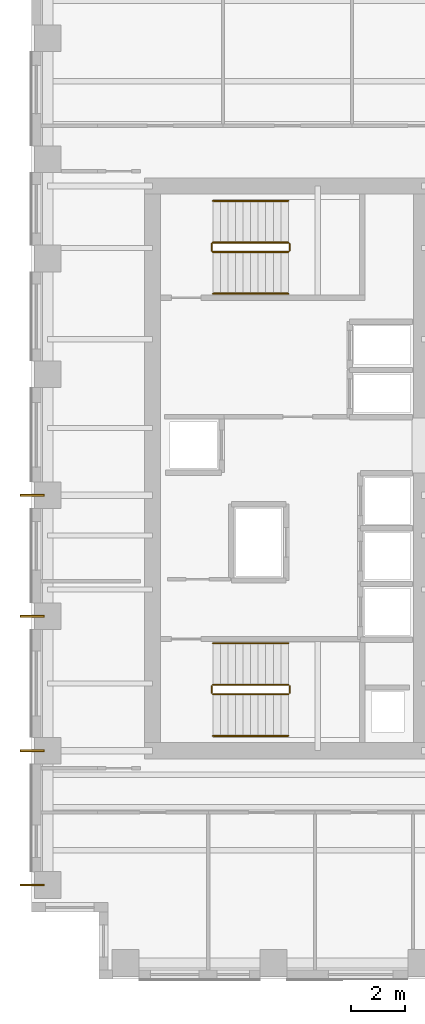
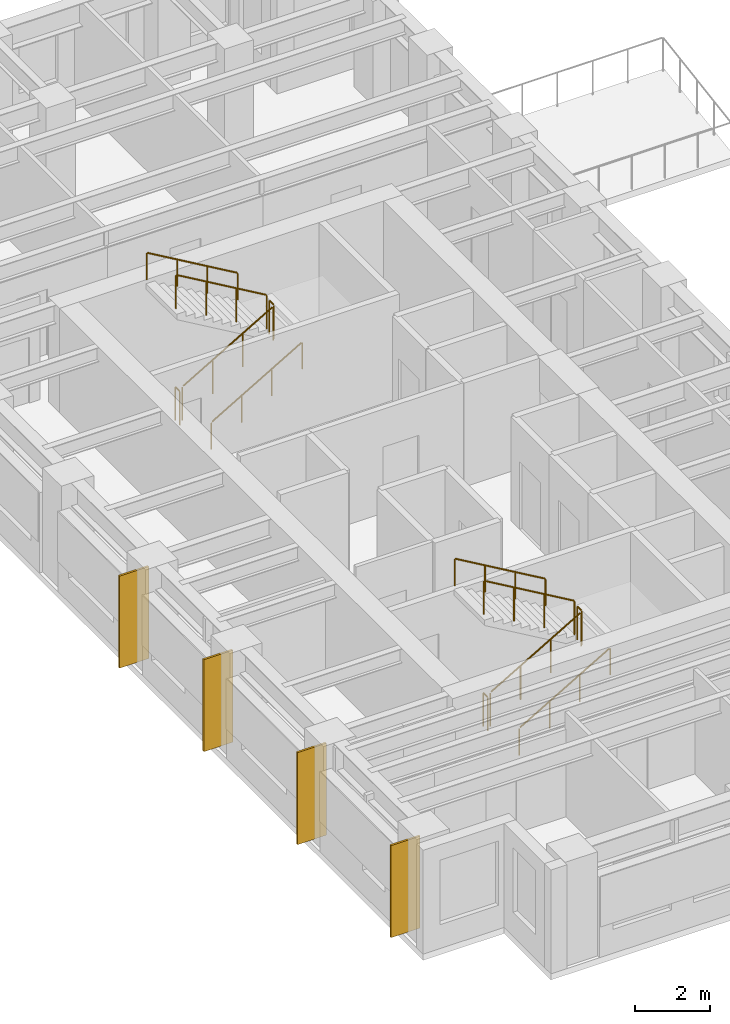
# One storey, part 10 of 11: 12 railings, 4 coverings.
"""IFC4 building model written with IfcOpenShell, lengths in metres."""

from ifc_helpers import new_model, si_unit, direction, frame, origin, origin_2d, place, context, subcontext, project, spatial, rectangle, circle, extrude, source, transform, mapped, material, layer, layer_set, type_object, element, save


model = new_model("IFC4")

# Units and contexts
model_context = context("Model", 3, precision=1e-05, world=origin(), true_north=direction((0.0, 1.0)))
body_context = subcontext(model_context, "Body", "Model", "MODEL_VIEW")
ifc_project = project(units=[si_unit("LENGTHUNIT", "METRE"), si_unit("AREAUNIT", "SQUARE_METRE"), si_unit("VOLUMEUNIT", "CUBIC_METRE"), si_unit("PLANEANGLEUNIT", "RADIAN"), si_unit("MASSUNIT", "GRAM", prefix="KILO")], contexts=[model_context])

# Site, building, storey
site_placement = place(None, origin())
site = spatial("IfcSite", under=ifc_project, at=site_placement, CompositionType="ELEMENT")
building_placement = place(site_placement, origin())
building = spatial("IfcBuilding", under=site, at=building_placement, Name="Kharzan Plaza Tower", CompositionType="ELEMENT")
storey_placement = place(building_placement, frame((0.0, 0.0, 200.699951171875)))
storey = spatial("IfcBuildingStorey", under=building, at=storey_placement, Name="L54", CompositionType="ELEMENT", Elevation=200.699951171875)

# Railings
ifc_material_1 = material(Name="Painted Galvanized Architectural Steel", Category="steel")
ifc_layer_1 = layer(ifc_material_1, 0.074951171875)
ifc_layer_set_1 = layer_set([ifc_layer_1], Name="Painted Galvanized Architectural Steel")
railing_type_1 = type_object("IfcRailingType", Name="RL-GUARD-1120", PredefinedType="BALUSTRADE", material=ifc_layer_set_1)
shared_shape_1 = source(origin(), body_context, "Body", "SweptSolid", [
    extrude(circle(Radius=0.02392578125, at=origin_2d()), frame((0.0, 0.0263671875, 1.09619140625), z_axis=(0.0, 1.0, 0.0), x_axis=(-1.0, 0.0, 0.0)), (0.0, 0.0, 1.0), 0.197021484375),
    extrude(circle(Radius=0.02099609375, at=origin_2d()), origin(), (0.0, 0.0, 1.0), 1.072021484375),
    extrude(circle(Radius=0.02099609375, at=origin_2d()), frame((0.0, 0.25, 0.0)), (0.0, 0.0, 1.0), 1.072021484375),
])
for number, where, name in (
    (1, (9.60009765625, 10.64990234375, 1.800048828125), "L54 ST-1 stair guard 2"),
    (2, (6.699951171875, 10.64990234375, 0.0), "L54 ST-1 stair guard 4"),
    (3, (9.60009765625, 27.10009765625, 1.800048828125), "L54 ST-2 stair guard 2"),
    (4, (6.699951171875, 27.10009765625, 0.0), "L54 ST-2 stair guard 4"),
):
    element("IfcRailing", number, at=place(storey_placement, frame(where)), inside=storey, type_object=railing_type_1, Name=name, PredefinedType="BALUSTRADE", context=body_context, shape_type="MappedRepresentation", body=[
        mapped(shared_shape_1, transform((0.0, 0.0, 0.0), x_axis=(1.0, 0.0, 0.0), y_axis=(0.0, 1.0, 0.0), z_axis=(0.0, 0.0, 1.0))),
    ])

# Coverings
ifc_material_2 = material(Name="Honed Riyadh Limestone", Category="masonry")
ifc_layer_2 = layer(ifc_material_2, 0.06005859375)
ifc_layer_set_2 = layer_set([ifc_layer_2], Name="Honed Riyadh Limestone")
covering_type = type_object("IfcCoveringType", Name="COV-CLAD-STONE", PredefinedType="CLADDING", material=ifc_layer_set_2)
shared_shape_2 = source(origin(), body_context, "Body", "SweptSolid", [
    extrude(rectangle(XDim=0.06005859375, YDim=0.89990234375, at=origin_2d()), origin(), (0.0, 0.0, 1.0), 3.0),
])
for number, where, z_axis, x_axis, name in (
    (5, (0.02001953125, 13.5, 0.10009765625), (0.0, 0.0, 1.0), (0.0, 1.0, 0.0), "L54 Limestone Pier Rainscreen Cladding TCW-135"),
    (6, (0.02001953125, 18.0, 0.10009765625), (0.0, 0.0, 1.0), (0.0, 1.0, 0.0), "L54 Limestone Pier Rainscreen Cladding TCW-180"),
    (7, (0.02001953125, 3.5, 0.10009765625), (0.0, 0.0, 1.0), (0.0, 1.0, 0.0), "L54 Limestone Pier Rainscreen Cladding TCW-35"),
    (8, (0.02001953125, 8.5, 0.10009765625), (0.0, 0.0, 1.0), (0.0, 1.0, 0.0), "L54 Limestone Pier Rainscreen Cladding TCW-85"),
):
    element("IfcCovering", number, at=place(storey_placement, frame(where, z_axis=z_axis, x_axis=x_axis)), inside=storey, type_object=covering_type, Name=name, PredefinedType="CLADDING", context=body_context, shape_type="MappedRepresentation", body=[
        mapped(shared_shape_2, transform((0.0, 0.0, 0.0), x_axis=(1.0, 0.0, 0.0), y_axis=(0.0, 1.0, 0.0), z_axis=(0.0, 0.0, 1.0))),
    ])

# Railings
shared_shape_3 = source(origin(), body_context, "Body", "SweptSolid", [
    extrude(circle(Radius=0.02392578125, at=origin_2d()), frame((0.02294921875, 0.0, 1.109375), z_axis=(0.863360870873, 0.0, 0.504586966384), x_axis=(0.0, 1.0, 0.0)), (0.0, 0.0, 1.0), 3.190185546875),
    extrude(circle(Radius=0.02099609375, at=origin_2d()), origin(), (0.0, 0.0, 1.0), 1.072021484375),
    extrude(circle(Radius=0.02099609375, at=origin_2d()), frame((0.933349609375, 0.0, 0.54541015625)), (0.0, 0.0, 1.0), 1.072021484375),
    extrude(circle(Radius=0.02099609375, at=origin_2d()), frame((1.86669921875, 0.0, 1.091064453125)), (0.0, 0.0, 1.0), 1.072021484375),
    extrude(circle(Radius=0.02099609375, at=origin_2d()), frame((2.800048828125, 0.0, 1.636474609375)), (0.0, 0.0, 1.0), 1.072021484375),
])
for number, where, name in (
    (9, (6.75, 10.60009765625, 0.16357421875), "L54 ST-1 stair guard 1"),
    (10, (6.75, 27.050048828125, 0.16357421875), "L54 ST-2 stair guard 1"),
):
    element("IfcRailing", number, at=place(storey_placement, frame(where)), inside=storey, type_object=railing_type_1, Name=name, PredefinedType="BALUSTRADE", context=body_context, shape_type="MappedRepresentation", body=[
        mapped(shared_shape_3, transform((0.0, 0.0, 0.0), x_axis=(1.0, 0.0, 0.0), y_axis=(0.0, 1.0, 0.0), z_axis=(0.0, 0.0, 1.0))),
    ])
shared_shape_4 = source(origin(), body_context, "Body", "SweptSolid", [
    extrude(circle(Radius=0.02392578125, at=origin_2d()), frame((-0.02294921875, 0.0, 1.109375), z_axis=(-0.863360870873, 0.0, 0.504586966384), x_axis=(0.0, -1.0, 0.0)), (0.0, 0.0, 1.0), 3.190185546875),
    extrude(circle(Radius=0.02099609375, at=origin_2d()), origin(), (0.0, 0.0, 1.0), 1.072021484375),
    extrude(circle(Radius=0.02099609375, at=origin_2d()), frame((-0.933349609375, 0.0, 0.54541015625)), (0.0, 0.0, 1.0), 1.072021484375),
    extrude(circle(Radius=0.02099609375, at=origin_2d()), frame((-1.86669921875, 0.0, 1.091064453125)), (0.0, 0.0, 1.0), 1.072021484375),
    extrude(circle(Radius=0.02099609375, at=origin_2d()), frame((-2.800048828125, 0.0, 1.636474609375)), (0.0, 0.0, 1.0), 1.072021484375),
])
for number, where, name in (
    (11, (9.550048828125, 10.949951171875, 1.963623046875), "L54 ST-1 stair guard 3"),
    (12, (9.550048828125, 27.39990234375, 1.963623046875), "L54 ST-2 stair guard 3"),
):
    element("IfcRailing", number, at=place(storey_placement, frame(where)), inside=storey, type_object=railing_type_1, Name=name, PredefinedType="BALUSTRADE", context=body_context, shape_type="MappedRepresentation", body=[
        mapped(shared_shape_4, transform((0.0, 0.0, 0.0), x_axis=(1.0, 0.0, 0.0), y_axis=(0.0, 1.0, 0.0), z_axis=(0.0, 0.0, 1.0))),
    ])
ifc_material_3 = material(Name="Brushed Stainless Steel", Category="steel")
ifc_layer_3 = layer(ifc_material_3, 0.050048828125)
ifc_layer_set_3 = layer_set([ifc_layer_3], Name="Brushed Stainless Steel")
railing_type_2 = type_object("IfcRailingType", Name="RL-STAIR-HR920", PredefinedType="HANDRAIL", material=ifc_layer_set_3)
shared_shape_5 = source(origin(), body_context, "Body", "SweptSolid", [
    extrude(circle(Radius=0.02392578125, at=origin_2d()), frame((0.02294921875, 0.0, 0.88916015625), z_axis=(0.863360870873, 0.0, 0.504586966384), x_axis=(0.0, 1.0, 0.0)), (0.0, 0.0, 1.0), 3.190185546875),
    extrude(circle(Radius=0.02099609375, at=origin_2d()), origin(), (0.0, 0.0, 1.0), 0.851806640625),
    extrude(circle(Radius=0.02099609375, at=origin_2d()), frame((0.933349609375, 0.0, 0.54541015625)), (0.0, 0.0, 1.0), 0.851806640625),
    extrude(circle(Radius=0.02099609375, at=origin_2d()), frame((1.86669921875, 0.0, 1.091064453125)), (0.0, 0.0, 1.0), 0.851806640625),
    extrude(circle(Radius=0.02099609375, at=origin_2d()), frame((2.800048828125, 0.0, 1.636474609375)), (0.0, 0.0, 1.0), 0.851806640625),
])
for number, where, name in (
    (13, (6.75, 9.050048828125, 0.16357421875), "L54 ST-1 stair handrail 1"),
    (14, (6.75, 25.5, 0.16357421875), "L54 ST-2 stair handrail 1"),
):
    element("IfcRailing", number, at=place(storey_placement, frame(where)), inside=storey, type_object=railing_type_2, Name=name, PredefinedType="HANDRAIL", context=body_context, shape_type="MappedRepresentation", body=[
        mapped(shared_shape_5, transform((0.0, 0.0, 0.0), x_axis=(1.0, 0.0, 0.0), y_axis=(0.0, 1.0, 0.0), z_axis=(0.0, 0.0, 1.0))),
    ])
shared_shape_6 = source(origin(), body_context, "Body", "SweptSolid", [
    extrude(circle(Radius=0.02392578125, at=origin_2d()), frame((-0.02294921875, 0.0, 0.88916015625), z_axis=(-0.863360870873, 0.0, 0.504586966384), x_axis=(0.0, -1.0, 0.0)), (0.0, 0.0, 1.0), 3.190185546875),
    extrude(circle(Radius=0.02099609375, at=origin_2d()), origin(), (0.0, 0.0, 1.0), 0.851806640625),
    extrude(circle(Radius=0.02099609375, at=origin_2d()), frame((-0.933349609375, 0.0, 0.54541015625)), (0.0, 0.0, 1.0), 0.851806640625),
    extrude(circle(Radius=0.02099609375, at=origin_2d()), frame((-1.86669921875, 0.0, 1.091064453125)), (0.0, 0.0, 1.0), 0.851806640625),
    extrude(circle(Radius=0.02099609375, at=origin_2d()), frame((-2.800048828125, 0.0, 1.636474609375)), (0.0, 0.0, 1.0), 0.851806640625),
])
for number, where, name in (
    (15, (9.550048828125, 12.5, 1.963623046875), "L54 ST-1 stair handrail 2"),
    (16, (9.550048828125, 28.949951171875, 1.963623046875), "L54 ST-2 stair handrail 2"),
):
    element("IfcRailing", number, at=place(storey_placement, frame(where)), inside=storey, type_object=railing_type_2, Name=name, PredefinedType="HANDRAIL", context=body_context, shape_type="MappedRepresentation", body=[
        mapped(shared_shape_6, transform((0.0, 0.0, 0.0), x_axis=(1.0, 0.0, 0.0), y_axis=(0.0, 1.0, 0.0), z_axis=(0.0, 0.0, 1.0))),
    ])

save(model, "model.ifc")
